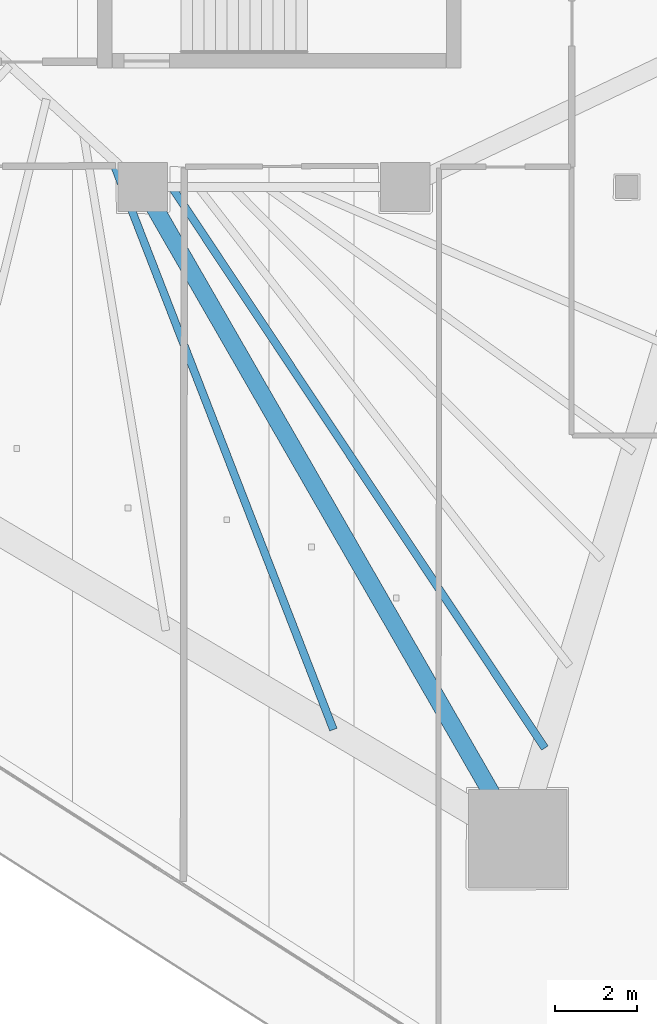
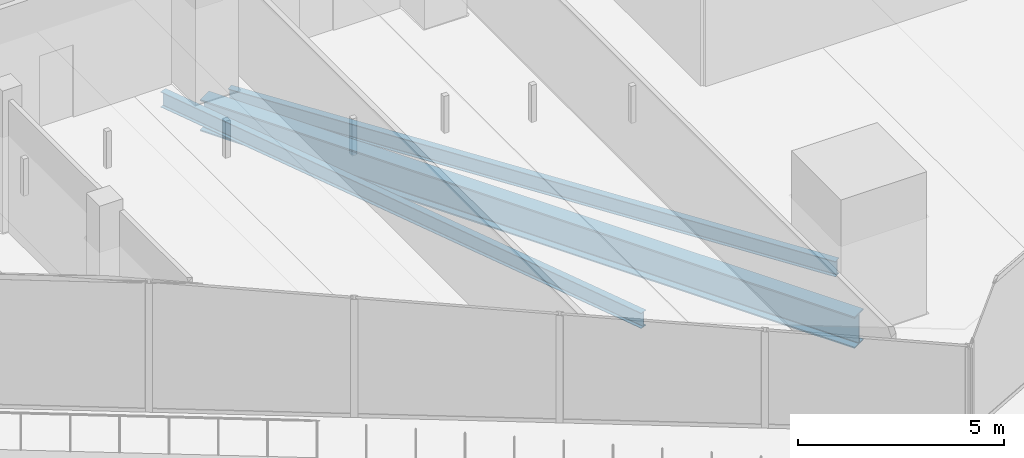
# One storey, part 9 of 44: 3 beams.
"""IFC4 building model written with IfcOpenShell, lengths in metres."""

import ifcopenshell
import ifcopenshell.guid

model = None  # the IFC model being written
_history = None  # IfcOwnerHistory: only IFC2X3 demands one
_inside = {}  # id of a spatial element -> (the spatial element, [elements in it])
_under = {}  # id of a project, library or spatial element -> (it, [spatial elements below it])
_declared = {}  # id of a project -> (the project, [libraries it declares])
_typed = {}  # id of a type object -> (the type object, [elements of that type])
_made_of = {}  # id of a material, layer set ... -> (it, [elements and type objects made of it])


def new_model(schema):
    """Start an empty IFC model of exactly this schema.

    Asked for "IFC4X3", IfcOpenShell would pick the latest addendum, in which some entities
    have other attributes; the version numbers below select the first issue.
    IFC2X3 requires an IfcOwnerHistory on every rooted entity: one is made here for all.
    """
    global model, _history
    if schema == "IFC4X3":
        model = ifcopenshell.file(schema_version=(4, 3, 0, 0))
    else:
        model = ifcopenshell.file(schema=schema)
    _inside.clear()
    _under.clear()
    _declared.clear()
    _typed.clear()
    _made_of.clear()
    _history = None
    if model.schema == "IFC2X3":
        org = make("IfcOrganization", Name="unknown")
        user = make(
            "IfcPersonAndOrganization",
            ThePerson=make("IfcPerson", FamilyName="unknown"),
            TheOrganization=org,
        )
        app = make(
            "IfcApplication",
            ApplicationDeveloper=org,
            Version="unknown",
            ApplicationFullName="unknown",
            ApplicationIdentifier="unknown",
        )
        _history = make(
            "IfcOwnerHistory",
            OwningUser=user,
            OwningApplication=app,
            ChangeAction="ADDED",
            CreationDate=0,
        )
    return model


def make(cls, **values):
    """One entity of the class cls with the attributes given. An attribute that is None is left unset."""
    return model.create_entity(
        cls, **{name: value for name, value in values.items() if value is not None}
    )


def rooted(cls, **values):
    """An entity with a GlobalId (a new one), such as an element, a storey or a relation."""
    return make(cls, GlobalId=ifcopenshell.guid.new(), OwnerHistory=_history, **values)


def si_unit(unit_type, name, prefix=None):
    """IfcSIUnit, for example si_unit("LENGTHUNIT", "METRE", prefix="MILLI")."""
    return make("IfcSIUnit", UnitType=unit_type, Prefix=prefix, Name=name)


def assignment(units):
    """IfcUnitAssignment: the units of a project."""
    return None if units is None else make("IfcUnitAssignment", Units=units)


def point(xyz):
    """IfcCartesianPoint."""
    return None if xyz is None else make("IfcCartesianPoint", Coordinates=xyz)


def direction(xyz):
    """IfcDirection."""
    return None if xyz is None else make("IfcDirection", DirectionRatios=xyz)


def frame(location, z_axis=None, x_axis=None):
    """IfcAxis2Placement3D, a coordinate frame: its origin and axes. An axis left out is left unset."""
    return make(
        "IfcAxis2Placement3D",
        Location=point(location),
        Axis=direction(z_axis),
        RefDirection=direction(x_axis),
    )


def frame_2d(location, x_axis=None):
    """IfcAxis2Placement2D, a coordinate frame in the plane: its origin and x axis."""
    return make(
        "IfcAxis2Placement2D", Location=point(location), RefDirection=direction(x_axis)
    )


def origin():
    """The frame at (0, 0, 0) with its axes left unset."""
    return frame((0.0, 0.0, 0.0))


def origin_2d():
    """The frame at (0, 0) in the plane with its x axis left unset."""
    return frame_2d((0.0, 0.0))


def place(relative_to, where):
    """IfcLocalPlacement: puts the frame where relative to a parent placement (None: the world)."""
    return make(
        "IfcLocalPlacement", PlacementRelTo=relative_to, RelativePlacement=where
    )


def context(
    kind, dimensions, precision=None, world=None, true_north=None, identifier=None
):
    """IfcGeometricRepresentationContext, for example the 3D "Model" context."""
    return make(
        "IfcGeometricRepresentationContext",
        ContextIdentifier=identifier,
        ContextType=kind,
        CoordinateSpaceDimension=dimensions,
        Precision=precision,
        WorldCoordinateSystem=world,
        TrueNorth=true_north,
    )


def subcontext(parent, identifier, kind, view, scale=None):
    """IfcGeometricRepresentationSubContext, for example "Body" below "Model"."""
    return make(
        "IfcGeometricRepresentationSubContext",
        ContextIdentifier=identifier,
        ContextType=kind,
        ParentContext=parent,
        TargetScale=scale,
        TargetView=view,
    )


def project(units=None, contexts=None):
    """IfcProject with its units and contexts."""
    return rooted(
        "IfcProject",
        Name="project",
        RepresentationContexts=contexts,
        UnitsInContext=assignment(units),
    )


def spatial(cls, under=None, at=None, **own):
    """A site, building, storey or space (cls), placed at a placement, below another one or the project."""
    s = rooted(cls, ObjectPlacement=at, **own)
    if under is not None:
        _under.setdefault(under.id(), (under, []))[1].append(s)
    return s


def profile(cls, at=None, kind="AREA", **sizes):
    """A parametric profile (cls). Its sizes go by their IFC names, for example OverallWidth=200.0."""
    return make(cls, ProfileType=kind, Position=at, **sizes)


def i_section(**sizes):
    """IfcIShapeProfileDef."""
    return profile("IfcIShapeProfileDef", **sizes)


def extrude(swept, where, along, depth):
    """IfcExtrudedAreaSolid: the profile swept, set in the frame where, extruded along a direction by depth."""
    return make(
        "IfcExtrudedAreaSolid",
        SweptArea=swept,
        Position=where,
        ExtrudedDirection=direction(along),
        Depth=depth,
    )


def shape(context_of_items, identifier, shape_type, items):
    """IfcShapeRepresentation: the items that make up one representation, for example the "Body"."""
    return make(
        "IfcShapeRepresentation",
        ContextOfItems=context_of_items,
        RepresentationIdentifier=identifier,
        RepresentationType=shape_type,
        Items=items,
    )


def material(Name=None, Category=None):
    """IfcMaterial."""
    return make("IfcMaterial", Name=Name, Category=Category)


def material_profile(
    of_material, cross_section, Name=None, Category=None, Priority=None
):
    """IfcMaterialProfile: a cross section and its material."""
    return make(
        "IfcMaterialProfile",
        Name=Name,
        Material=of_material,
        Profile=cross_section,
        Priority=Priority,
        Category=Category,
    )


def profile_set(profiles, Name=None, composite=None):
    """IfcMaterialProfileSet."""
    return make(
        "IfcMaterialProfileSet",
        Name=Name,
        MaterialProfiles=profiles,
        CompositeProfile=composite,
    )


def made_of(thing, what):
    """Note that an element or type object is made of a material, layer set ...; save() writes the relation."""
    if what is not None:
        _made_of.setdefault(what.id(), (what, []))[1].append(thing)
    return thing


def type_object(cls, material=None, **own):
    """A type object (cls), such as IfcWallType, which elements share."""
    return made_of(rooted(cls, **own), material)


def element(
    cls,
    number,
    at=None,
    inside=None,
    cuts=None,
    type_object=None,
    material=None,
    context=None,
    identifier="Body",
    shape_type=None,
    held_by="IfcProductDefinitionShape",
    body=None,
    shapes=None,
    **own,
):
    """One element of the class cls, such as IfcWall. Its Tag is "e" and its number.

    at: its placement. inside: the storey or other place that contains it. cuts: it is an
    opening in that element (IfcRelVoidsElement). A single representation is given by context,
    identifier, shape_type and body (its items); several are given by shapes. held_by: the class
    of the entity that holds the representations. save() writes the other relations.
    """
    e = rooted(cls, Tag="e%d" % number, ObjectPlacement=at, **own)
    if body is not None:
        shapes = [shape(context, identifier, shape_type, body)]
    if shapes is not None:
        e.Representation = make(held_by, Representations=shapes)
    if inside is not None:
        _inside.setdefault(inside.id(), (inside, []))[1].append(e)
    if cuts is not None:
        rooted(
            "IfcRelVoidsElement", RelatingBuildingElement=cuts, RelatedOpeningElement=e
        )
    if type_object is not None:
        _typed.setdefault(type_object.id(), (type_object, []))[1].append(e)
    return made_of(e, material)


def aggregate(whole, parts):
    """IfcRelAggregates: a whole, such as a stair, and the parts it consists of."""
    return rooted("IfcRelAggregates", RelatingObject=whole, RelatedObjects=parts)


def save(model, path):
    """Write the relations noted so far, then the file.

    IfcRelAggregates (storeys below a building ...), IfcRelContainedInSpatialStructure (elements
    in a storey), IfcRelDefinesByType, IfcRelAssociatesMaterial and IfcRelDeclares: one each for
    every whole, place, type object, material and project.
    """
    for whole, parts in _under.values():
        aggregate(whole, parts)
    for where, things in _inside.values():
        rooted(
            "IfcRelContainedInSpatialStructure",
            RelatedElements=things,
            RelatingStructure=where,
        )
    for kind, things in _typed.values():
        rooted("IfcRelDefinesByType", RelatedObjects=things, RelatingType=kind)
    for what, things in _made_of.values():
        rooted("IfcRelAssociatesMaterial", RelatedObjects=things, RelatingMaterial=what)
    for by, libraries in _declared.values():
        rooted("IfcRelDeclares", RelatingContext=by, RelatedDefinitions=libraries)
    model.write(path)


model = new_model("IFC4")

# Units and contexts
model_context = context("Model", 3, precision=1e-05, world=origin(), true_north=direction((0.0, 1.0)))
body_context = subcontext(model_context, "Body", "Model", "MODEL_VIEW")
ifc_project = project(units=[si_unit("LENGTHUNIT", "METRE"), si_unit("AREAUNIT", "SQUARE_METRE"), si_unit("VOLUMEUNIT", "CUBIC_METRE"), si_unit("PLANEANGLEUNIT", "RADIAN"), si_unit("MASSUNIT", "GRAM", prefix="KILO")], contexts=[model_context])

# Site, building, storey
site_placement = place(None, origin())
site = spatial("IfcSite", under=ifc_project, at=site_placement, CompositionType="ELEMENT")
building_placement = place(site_placement, origin())
building = spatial("IfcBuilding", under=site, at=building_placement, Name="Qorvath Tower", CompositionType="ELEMENT")
storey_placement = place(building_placement, frame((0.0, 0.0, 45.0)))
storey = spatial("IfcBuildingStorey", under=building, at=storey_placement, Name="L09", CompositionType="ELEMENT", Elevation=45.0)

# Beams
ifc_material_1 = material(Name="Steel ASTM A992 Grade 50", Category="steel")
ifc_material_profile_1 = material_profile(ifc_material_1, i_section(OverallWidth=0.422119140625, OverallDepth=0.93310546875, WebThickness=0.021240234375, FlangeThickness=0.039794921875, FilletRadius=0.02392578125, at=origin_2d()), Name="W36x262")
ifc_profile_set_1 = profile_set([ifc_material_profile_1], Name="Steel ASTM A992 Grade 50")
beam_type_1 = type_object("IfcBeamType", Name="BM-FG1", PredefinedType="BEAM", material=ifc_profile_set_1)
beam_1_placement = place(storey_placement, frame((-23.60009765625, -11.449951171875, -0.74658203125), z_axis=(0.498645367714, -0.866806089767, 0.0), x_axis=(0.866806089767, 0.498645367714, 0.0)))
element("IfcBeam", 1, at=beam_1_placement, inside=storey, type_object=beam_type_1, Name="Radial Floor Girder CC4-MC3 L09", PredefinedType="BEAM", context=body_context, shape_type="SweptSolid", body=[
    extrude(i_section(OverallWidth=0.422119140625, OverallDepth=0.93310546875, WebThickness=0.021240234375, FlangeThickness=0.039794921875, FilletRadius=0.02392578125, at=origin_2d()), origin(), (0.0, 0.0, 1.0), 18.321044921875),
])
ifc_material_2 = material(Name="Steel ASTM A992 Grade 50", Category="steel")
ifc_material_profile_2 = material_profile(ifc_material_2, i_section(OverallWidth=0.18994140625, OverallDepth=0.45703125, WebThickness=0.009033203125, FlangeThickness=0.014404296875, FilletRadius=0.011962890625, at=origin_2d()), Name="W18x50")
ifc_profile_set_2 = profile_set([ifc_material_profile_2], Name="Steel ASTM A992 Grade 50")
beam_type_2 = type_object("IfcBeamType", Name="BM-FJ2", PredefinedType="JOIST", material=ifc_profile_set_2)
beam_2_placement = place(storey_placement, frame((-22.89599609375, -11.449951171875, -0.508544921875), z_axis=(0.553811384989, -0.83264214994, 0.0), x_axis=(0.83264214994, 0.553811384989, 0.0)))
element("IfcBeam", 2, at=beam_2_placement, inside=storey, type_object=beam_type_2, Name="Composite Floor Joist SE7 L09", PredefinedType="JOIST", context=body_context, shape_type="SweptSolid", body=[
    extrude(i_section(OverallWidth=0.18994140625, OverallDepth=0.45703125, WebThickness=0.009033203125, FlangeThickness=0.014404296875, FilletRadius=0.011962890625, at=origin_2d()), origin(), (0.0, 0.0, 1.0), 16.42333984375),
])
beam_3_placement = place(storey_placement, frame((-24.35888671875, -10.757080078125, -0.508544921875), z_axis=(0.361964096586, -0.93219203643, 0.0), x_axis=(0.93219203643, 0.361964096586, 0.0)))
element("IfcBeam", 3, at=beam_3_placement, inside=storey, type_object=beam_type_2, Name="Composite Floor Joist SW7 L09", PredefinedType="JOIST", context=body_context, shape_type="SweptSolid", body=[
    extrude(i_section(OverallWidth=0.18994140625, OverallDepth=0.45703125, WebThickness=0.009033203125, FlangeThickness=0.014404296875, FilletRadius=0.011962890625, at=origin_2d()), origin(), (0.0, 0.0, 1.0), 14.93115234375),
])

save(model, "model.ifc")
